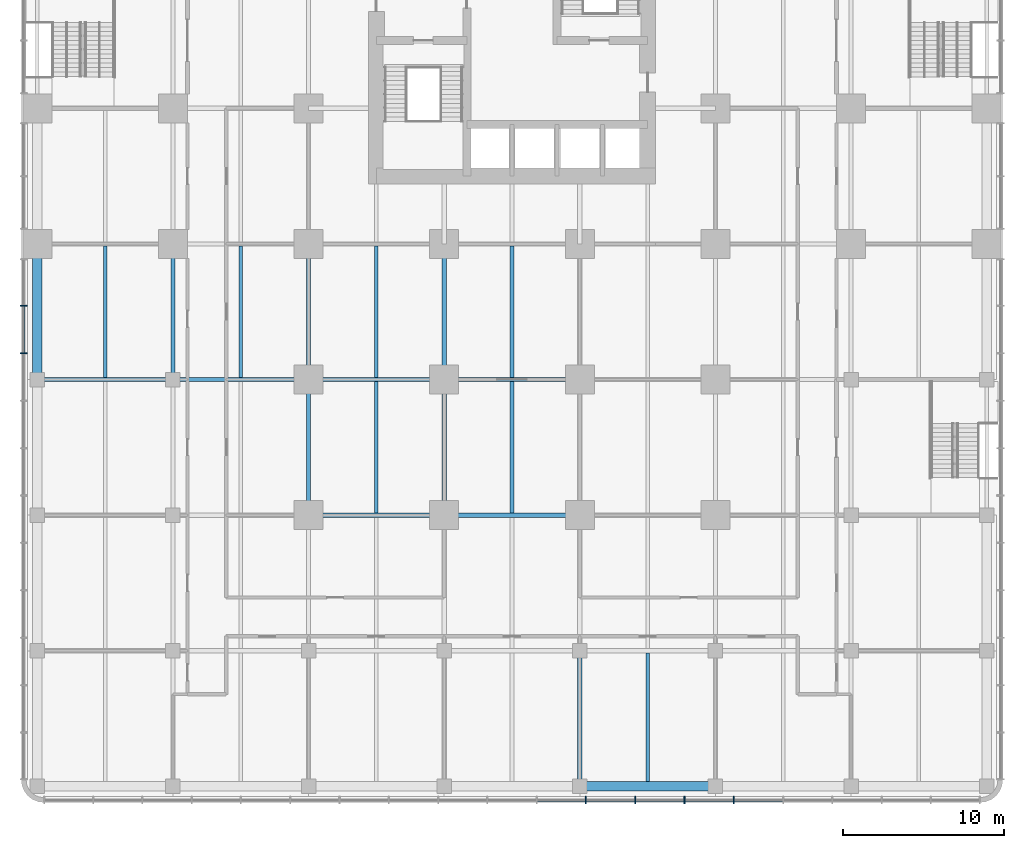
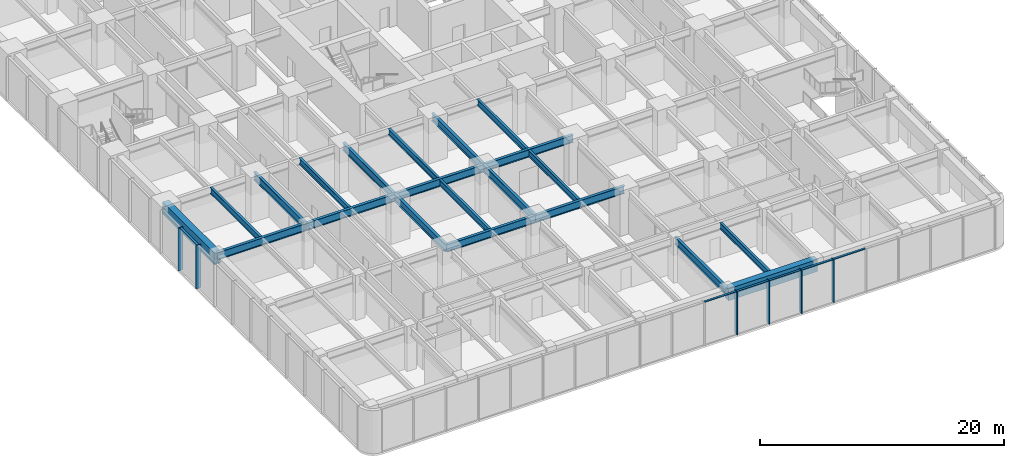
# One storey, part 3 of 19: 21 beams, 12 members, 2 elements without a shape of their own.
"""IFC4 building model written with IfcOpenShell, lengths in metres."""

from ifc_helpers import new_model, si_unit, direction, frame, origin, origin_2d, place, context, subcontext, project, spatial, rectangle, i_section, extrude, material, material_profile, profile_set, type_object, element, aggregate, save


model = new_model("IFC4")

# Units and contexts
model_context = context("Model", 3, precision=1e-05, world=origin(), true_north=direction((0.0, 1.0)))
body_context = subcontext(model_context, "Body", "Model", "MODEL_VIEW")
ifc_project = project(units=[si_unit("LENGTHUNIT", "METRE"), si_unit("AREAUNIT", "SQUARE_METRE"), si_unit("VOLUMEUNIT", "CUBIC_METRE"), si_unit("PLANEANGLEUNIT", "RADIAN"), si_unit("MASSUNIT", "GRAM", prefix="KILO")], contexts=[model_context])

# Site, building, storey
site_placement = place(None, origin())
site = spatial("IfcSite", under=ifc_project, at=site_placement, CompositionType="ELEMENT")
building_placement = place(site_placement, origin())
building = spatial("IfcBuilding", under=site, at=building_placement, Name="Torre Alcanfor", CompositionType="ELEMENT")
storey_placement = place(building_placement, frame((0.0, 0.0, 6.0)))
storey = spatial("IfcBuildingStorey", under=building, at=storey_placement, Name="L01", CompositionType="ELEMENT", Elevation=6.0)

# Curtain wall, members
ifc_material_1 = material(Name="Aluminium and glass", Category="aluminium")
curtain_wall_type = type_object("IfcCurtainWallType", Name="CW-B unitised classroom glazing with vertical FIN", PredefinedType="NOTDEFINED", material=ifc_material_1)
curtain_wall_1_placement = place(storey_placement, origin())
curtain_wall_1 = element("IfcCurtainWall", 1, at=curtain_wall_1_placement, inside=storey, type_object=curtain_wall_type, Name="Curtain wall CW-B L01 3", PredefinedType="NOTDEFINED")
ifc_material_2 = material(Name="Bronze anodised aluminium", Category="aluminium")
ifc_material_profile_1 = material_profile(ifc_material_2, rectangle(XDim=0.449951171875, YDim=0.06494140625, at=origin_2d()), Name="CW-B mullion 65x450")
ifc_profile_set_1 = profile_set([ifc_material_profile_1], Name="Bronze anodised aluminium")
member_type_1 = type_object("IfcMemberType", Name="CW-B mullion with vertical FIN 65x450", PredefinedType="MULLION", material=ifc_profile_set_1)
member_1_placement = place(storey_placement, frame((-0.85009765625, 12.958984375, 0.0), z_axis=(0.0, 0.0, 1.0), x_axis=(1.0, 0.0, 0.0)))
member_1 = element("IfcMember", 2, at=member_1_placement, type_object=member_type_1, Name="CW-B mullion 5.2", PredefinedType="MULLION", context=body_context, shape_type="SweptSolid", body=[
    extrude(rectangle(XDim=0.449951171875, YDim=0.06494140625, at=origin_2d()), origin(), (0.0, 0.0, 1.0), 4.300048828125),
])
member_2_placement = place(storey_placement, frame((-0.85009765625, 10.023193359375, 0.0), z_axis=(0.0, 0.0, 1.0), x_axis=(1.0, 0.0, 0.0)))
member_2 = element("IfcMember", 3, at=member_2_placement, type_object=member_type_1, Name="CW-B mullion 5.3", PredefinedType="MULLION", context=body_context, shape_type="SweptSolid", body=[
    extrude(rectangle(XDim=0.449951171875, YDim=0.06494140625, at=origin_2d()), origin(), (0.0, 0.0, 1.0), 4.300048828125),
])

curtain_wall_2_placement = place(storey_placement, origin())
curtain_wall_2 = element("IfcCurtainWall", 4, at=curtain_wall_2_placement, inside=storey, type_object=curtain_wall_type, Name="Curtain wall CW-B L01 4", PredefinedType="NOTDEFINED")
member_3_placement = place(storey_placement, frame((33.97900390625, -17.64990234375, 0.0), z_axis=(0.0, 0.0, 1.0), x_axis=(0.0, 1.0, 0.0)))
member_3 = element("IfcMember", 5, at=member_3_placement, type_object=member_type_1, Name="CW-B mullion 12", PredefinedType="MULLION", context=body_context, shape_type="SweptSolid", body=[
    extrude(rectangle(XDim=0.449951171875, YDim=0.06494140625, at=origin_2d()), origin(), (0.0, 0.0, 1.0), 4.300048828125),
])
member_4_placement = place(storey_placement, frame((37.031494140625, -17.64990234375, 0.0), z_axis=(0.0, 0.0, 1.0), x_axis=(0.0, 1.0, 0.0)))
member_4 = element("IfcMember", 6, at=member_4_placement, type_object=member_type_1, Name="CW-B mullion 13", PredefinedType="MULLION", context=body_context, shape_type="SweptSolid", body=[
    extrude(rectangle(XDim=0.449951171875, YDim=0.06494140625, at=origin_2d()), origin(), (0.0, 0.0, 1.0), 4.300048828125),
])
member_5_placement = place(storey_placement, frame((40.084228515625, -17.64990234375, 0.0), z_axis=(0.0, 0.0, 1.0), x_axis=(0.0, 1.0, 0.0)))
member_5 = element("IfcMember", 7, at=member_5_placement, type_object=member_type_1, Name="CW-B mullion 14", PredefinedType="MULLION", context=body_context, shape_type="SweptSolid", body=[
    extrude(rectangle(XDim=0.449951171875, YDim=0.06494140625, at=origin_2d()), origin(), (0.0, 0.0, 1.0), 4.300048828125),
])
member_6_placement = place(storey_placement, frame((43.136962890625, -17.64990234375, 0.0), z_axis=(0.0, 0.0, 1.0), x_axis=(0.0, 1.0, 0.0)))
member_6 = element("IfcMember", 8, at=member_6_placement, type_object=member_type_1, Name="CW-B mullion 15", PredefinedType="MULLION", context=body_context, shape_type="SweptSolid", body=[
    extrude(rectangle(XDim=0.449951171875, YDim=0.06494140625, at=origin_2d()), origin(), (0.0, 0.0, 1.0), 4.300048828125),
])

# Member
ifc_material_3 = material(Name="Extruded aluminium", Category="aluminium")
ifc_material_profile_2 = material_profile(ifc_material_3, rectangle(XDim=0.199951171875, YDim=0.06494140625, at=origin_2d()), Name="CW-B transom 200x65")
ifc_profile_set_2 = profile_set([ifc_material_profile_2], Name="Extruded aluminium")
member_type_2 = type_object("IfcMemberType", Name="CW-B transom 65x200", PredefinedType="USERDEFINED", material=ifc_profile_set_2)
member_7_placement = place(storey_placement, frame((-0.85009765625, 12.926513671875, 4.267578125), z_axis=(0.0, -1.0, 0.0), x_axis=(1.0, 0.0, 0.0)))
member_7 = element("IfcMember", 9, at=member_7_placement, type_object=member_type_2, Name="CW-B transom 5.2.2", ObjectType="TRANSOM", PredefinedType="USERDEFINED", context=body_context, shape_type="SweptSolid", body=[
    extrude(rectangle(XDim=0.199951171875, YDim=0.06494140625, at=origin_2d()), origin(), (0.0, 0.0, 1.0), 2.870849609375),
])

aggregate(curtain_wall_1, [member_1, member_2, member_7])

member_8_placement = place(storey_placement, frame((30.958740234375, -17.64990234375, 4.267578125), z_axis=(1.0, 0.0, 0.0), x_axis=(0.0, 1.0, 0.0)))
member_8 = element("IfcMember", 10, at=member_8_placement, type_object=member_type_2, Name="CW-B transom 11.2", ObjectType="TRANSOM", PredefinedType="USERDEFINED", context=body_context, shape_type="SweptSolid", body=[
    extrude(rectangle(XDim=0.199951171875, YDim=0.06494140625, at=origin_2d()), origin(), (0.0, 0.0, 1.0), 2.98779296875),
])

member_9_placement = place(storey_placement, frame((34.011474609375, -17.64990234375, 4.267578125), z_axis=(1.0, 0.0, 0.0), x_axis=(0.0, 1.0, 0.0)))
member_9 = element("IfcMember", 11, at=member_9_placement, type_object=member_type_2, Name="CW-B transom 12.2", ObjectType="TRANSOM", PredefinedType="USERDEFINED", context=body_context, shape_type="SweptSolid", body=[
    extrude(rectangle(XDim=0.199951171875, YDim=0.06494140625, at=origin_2d()), origin(), (0.0, 0.0, 1.0), 2.987548828125),
])

member_10_placement = place(storey_placement, frame((37.06396484375, -17.64990234375, 4.267578125), z_axis=(1.0, 0.0, 0.0), x_axis=(0.0, 1.0, 0.0)))
member_10 = element("IfcMember", 12, at=member_10_placement, type_object=member_type_2, Name="CW-B transom 13.2", ObjectType="TRANSOM", PredefinedType="USERDEFINED", context=body_context, shape_type="SweptSolid", body=[
    extrude(rectangle(XDim=0.199951171875, YDim=0.06494140625, at=origin_2d()), origin(), (0.0, 0.0, 1.0), 2.98779296875),
])

member_11_placement = place(storey_placement, frame((40.11669921875, -17.64990234375, 4.267578125), z_axis=(1.0, 0.0, 0.0), x_axis=(0.0, 1.0, 0.0)))
member_11 = element("IfcMember", 13, at=member_11_placement, type_object=member_type_2, Name="CW-B transom 14.2", ObjectType="TRANSOM", PredefinedType="USERDEFINED", context=body_context, shape_type="SweptSolid", body=[
    extrude(rectangle(XDim=0.199951171875, YDim=0.06494140625, at=origin_2d()), origin(), (0.0, 0.0, 1.0), 2.987548828125),
])

member_12_placement = place(storey_placement, frame((43.16943359375, -17.64990234375, 4.267578125), z_axis=(1.0, 0.0, 0.0), x_axis=(0.0, 1.0, 0.0)))
member_12 = element("IfcMember", 14, at=member_12_placement, type_object=member_type_2, Name="CW-B transom 15.2", ObjectType="TRANSOM", PredefinedType="USERDEFINED", context=body_context, shape_type="SweptSolid", body=[
    extrude(rectangle(XDim=0.199951171875, YDim=0.06494140625, at=origin_2d()), origin(), (0.0, 0.0, 1.0), 2.987548828125),
])

aggregate(curtain_wall_2, [member_3, member_4, member_5, member_6, member_8, member_9, member_10, member_11, member_12])

# Beams
ifc_material_4 = material(Name="Steel ASTM A992 Grade 50", Category="steel")
ifc_material_profile_3 = material_profile(ifc_material_4, i_section(OverallWidth=0.2666015625, OverallDepth=0.7568359375, WebThickness=0.013916015625, FlangeThickness=0.019287109375, at=origin_2d()), Name="W30x108")
ifc_profile_set_3 = profile_set([ifc_material_profile_3], Name="Steel ASTM A992 Grade 50")
beam_type_1 = type_object("IfcBeamType", Name="Girder W30x108", PredefinedType="BEAM", material=ifc_profile_set_3)
beam_1_placement = place(storey_placement, frame((16.800048828125, 0.0, 3.921630859375), z_axis=(1.0, 0.0, 0.0), x_axis=(0.0, 1.0, 0.0)))
element("IfcBeam", 15, at=beam_1_placement, inside=storey, type_object=beam_type_1, Name="Beam 3C-4C under L02", PredefinedType="BEAM", context=body_context, shape_type="SweptSolid", body=[
    extrude(i_section(OverallWidth=0.2666015625, OverallDepth=0.7568359375, WebThickness=0.013916015625, FlangeThickness=0.019287109375, at=origin_2d()), origin(), (0.0, 0.0, 1.0), 8.39990234375),
])
beam_2_placement = place(storey_placement, frame((25.199951171875, 0.0, 3.921630859375), z_axis=(1.0, 0.0, 0.0), x_axis=(0.0, 1.0, 0.0)))
element("IfcBeam", 16, at=beam_2_placement, inside=storey, type_object=beam_type_1, Name="Beam 4C-5C under L02", PredefinedType="BEAM", context=body_context, shape_type="SweptSolid", body=[
    extrude(i_section(OverallWidth=0.2666015625, OverallDepth=0.7568359375, WebThickness=0.013916015625, FlangeThickness=0.019287109375, at=origin_2d()), origin(), (0.0, 0.0, 1.0), 8.400146484375),
])
beam_3_placement = place(storey_placement, frame((0.0, 8.39990234375, 3.921630859375), z_axis=(1.0, 0.0, 0.0), x_axis=(0.0, 1.0, 0.0)))
element("IfcBeam", 17, at=beam_3_placement, inside=storey, type_object=beam_type_1, Name="Beam 1D-2D under L02", PredefinedType="BEAM", context=body_context, shape_type="SweptSolid", body=[
    extrude(i_section(OverallWidth=0.2666015625, OverallDepth=0.7568359375, WebThickness=0.013916015625, FlangeThickness=0.019287109375, at=origin_2d()), origin(), (0.0, 0.0, 1.0), 8.39990234375),
])
beam_4_placement = place(storey_placement, frame((8.39990234375, 8.39990234375, 3.921630859375), z_axis=(1.0, 0.0, 0.0), x_axis=(0.0, 1.0, 0.0)))
element("IfcBeam", 18, at=beam_4_placement, inside=storey, type_object=beam_type_1, Name="Beam 2D-3D under L02", PredefinedType="BEAM", context=body_context, shape_type="SweptSolid", body=[
    extrude(i_section(OverallWidth=0.2666015625, OverallDepth=0.7568359375, WebThickness=0.013916015625, FlangeThickness=0.019287109375, at=origin_2d()), origin(), (0.0, 0.0, 1.0), 8.400146484375),
])
beam_5_placement = place(storey_placement, frame((16.800048828125, 8.39990234375, 3.921630859375), z_axis=(1.0, 0.0, 0.0), x_axis=(0.0, 1.0, 0.0)))
element("IfcBeam", 19, at=beam_5_placement, inside=storey, type_object=beam_type_1, Name="Beam 3D-4D under L02", PredefinedType="BEAM", context=body_context, shape_type="SweptSolid", body=[
    extrude(i_section(OverallWidth=0.2666015625, OverallDepth=0.7568359375, WebThickness=0.013916015625, FlangeThickness=0.019287109375, at=origin_2d()), origin(), (0.0, 0.0, 1.0), 8.39990234375),
])
for number, where, z_axis, x_axis, name in (
    (20, (25.199951171875, 8.39990234375, 3.921630859375), (1.0, 0.0, 0.0), (0.0, 1.0, 0.0), "Beam 4D-5D under L02"),
    (21, (8.39990234375, 8.39990234375, 3.921630859375), (0.0, 1.0, 0.0), (-1.0, 0.0, 0.0), "Beam 2D-2E under L02"),
):
    element("IfcBeam", number, at=place(storey_placement, frame(where, z_axis=z_axis, x_axis=x_axis)), inside=storey, type_object=beam_type_1, Name=name, PredefinedType="BEAM", context=body_context, shape_type="SweptSolid", body=[
        extrude(i_section(OverallWidth=0.2666015625, OverallDepth=0.7568359375, WebThickness=0.013916015625, FlangeThickness=0.019287109375, at=origin_2d()), origin(), (0.0, 0.0, 1.0), 8.400146484375),
    ])
beam_6_placement = place(storey_placement, frame((16.800048828125, 0.0, 3.921630859375), z_axis=(0.0, 1.0, 0.0), x_axis=(-1.0, 0.0, 0.0)))
element("IfcBeam", 22, at=beam_6_placement, inside=storey, type_object=beam_type_1, Name="Beam 3C-3D under L02", PredefinedType="BEAM", context=body_context, shape_type="SweptSolid", body=[
    extrude(i_section(OverallWidth=0.2666015625, OverallDepth=0.7568359375, WebThickness=0.013916015625, FlangeThickness=0.019287109375, at=origin_2d()), origin(), (0.0, 0.0, 1.0), 8.39990234375),
])
beam_7_placement = place(storey_placement, frame((16.800048828125, 8.39990234375, 3.921630859375), z_axis=(0.0, 1.0, 0.0), x_axis=(-1.0, 0.0, 0.0)))
element("IfcBeam", 23, at=beam_7_placement, inside=storey, type_object=beam_type_1, Name="Beam 3D-3E under L02", PredefinedType="BEAM", context=body_context, shape_type="SweptSolid", body=[
    extrude(i_section(OverallWidth=0.2666015625, OverallDepth=0.7568359375, WebThickness=0.013916015625, FlangeThickness=0.019287109375, at=origin_2d()), origin(), (0.0, 0.0, 1.0), 8.400146484375),
])
beam_8_placement = place(storey_placement, frame((25.199951171875, 0.0, 3.921630859375), z_axis=(0.0, 1.0, 0.0), x_axis=(-1.0, 0.0, 0.0)))
element("IfcBeam", 24, at=beam_8_placement, inside=storey, type_object=beam_type_1, Name="Beam 4C-4D under L02", PredefinedType="BEAM", context=body_context, shape_type="SweptSolid", body=[
    extrude(i_section(OverallWidth=0.2666015625, OverallDepth=0.7568359375, WebThickness=0.013916015625, FlangeThickness=0.019287109375, at=origin_2d()), origin(), (0.0, 0.0, 1.0), 8.39990234375),
])
for number, where, z_axis, x_axis, name in (
    (25, (25.199951171875, 8.39990234375, 3.921630859375), (0.0, 1.0, 0.0), (-1.0, 0.0, 0.0), "Beam 4D-4E under L02"),
    (26, (33.60009765625, -16.800048828125, 3.921630859375), (0.0, 1.0, 0.0), (-1.0, 0.0, 0.0), "Beam 5A-5B under L02"),
):
    element("IfcBeam", number, at=place(storey_placement, frame(where, z_axis=z_axis, x_axis=x_axis)), inside=storey, type_object=beam_type_1, Name=name, PredefinedType="BEAM", context=body_context, shape_type="SweptSolid", body=[
        extrude(i_section(OverallWidth=0.2666015625, OverallDepth=0.7568359375, WebThickness=0.013916015625, FlangeThickness=0.019287109375, at=origin_2d()), origin(), (0.0, 0.0, 1.0), 8.400146484375),
    ])
ifc_material_5 = material(Name="Concrete f'c 70 MPa", Category="concrete")
ifc_material_profile_4 = material_profile(ifc_material_5, rectangle(XDim=0.60009765625, YDim=1.199951171875, at=origin_2d()), Name="600x1200")
ifc_profile_set_4 = profile_set([ifc_material_profile_4], Name="Concrete f'c 70 MPa")
beam_type_2 = type_object("IfcBeamType", Name="RC perimeter beam 600x1200", PredefinedType="BEAM", material=ifc_profile_set_4)
beam_9_placement = place(storey_placement, frame((33.60009765625, -16.800048828125, 3.699951171875), z_axis=(1.0, 0.0, 0.0), x_axis=(0.0, 1.0, 0.0)))
element("IfcBeam", 27, at=beam_9_placement, inside=storey, type_object=beam_type_2, Name="Beam 5A-6A under L02", PredefinedType="BEAM", context=body_context, shape_type="SweptSolid", body=[
    extrude(rectangle(XDim=0.60009765625, YDim=1.199951171875, at=origin_2d()), origin(), (0.0, 0.0, 1.0), 8.39990234375),
])
beam_10_placement = place(storey_placement, frame((0.0, 8.39990234375, 3.699951171875), z_axis=(0.0, 1.0, 0.0), x_axis=(-1.0, 0.0, 0.0)))
element("IfcBeam", 28, at=beam_10_placement, inside=storey, type_object=beam_type_2, Name="Beam 1D-1E under L02", PredefinedType="BEAM", context=body_context, shape_type="SweptSolid", body=[
    extrude(rectangle(XDim=0.60009765625, YDim=1.199951171875, at=origin_2d()), origin(), (0.0, 0.0, 1.0), 8.400146484375),
])
ifc_material_6 = material(Name="Steel ASTM A992 Grade 50", Category="steel")
ifc_material_profile_5 = material_profile(ifc_material_6, i_section(OverallWidth=0.22900390625, OverallDepth=0.612060546875, WebThickness=0.011962890625, FlangeThickness=0.01953125, at=origin_2d()), Name="W24x84")
ifc_profile_set_5 = profile_set([ifc_material_profile_5], Name="Steel ASTM A992 Grade 50")
beam_type_3 = type_object("IfcBeamType", Name="Secondary beam W24x84", PredefinedType="BEAM", material=ifc_profile_set_5)
for number, where, z_axis, x_axis, name in (
    (29, (4.199951171875, 8.532958984375, 3.993896484375), (0.0, 1.0, 0.0), (-1.0, 0.0, 0.0), "Beam 4_2D-4_2E under L02"),
    (30, (12.60009765625, 8.532958984375, 3.993896484375), (0.0, 1.0, 0.0), (-1.0, 0.0, 0.0), "Beam 12_6D-12_6E under L02"),
    (31, (21.0, 0.133056640625, 3.993896484375), (0.0, 1.0, 0.0), (-1.0, 0.0, 0.0), "Beam 21C-21D under L02"),
    (32, (21.0, 8.532958984375, 3.993896484375), (0.0, 1.0, 0.0), (-1.0, 0.0, 0.0), "Beam 21D-21E under L02"),
    (33, (29.39990234375, 0.133056640625, 3.993896484375), (0.0, 1.0, 0.0), (-1.0, 0.0, 0.0), "Beam 29_4C-29_4D under L02"),
    (34, (29.39990234375, 8.532958984375, 3.993896484375), (0.0, 1.0, 0.0), (-1.0, 0.0, 0.0), "Beam 29_4D-29_4E under L02"),
):
    element("IfcBeam", number, at=place(storey_placement, frame(where, z_axis=z_axis, x_axis=x_axis)), inside=storey, type_object=beam_type_3, Name=name, PredefinedType="BEAM", context=body_context, shape_type="SweptSolid", body=[
        extrude(i_section(OverallWidth=0.22900390625, OverallDepth=0.612060546875, WebThickness=0.011962890625, FlangeThickness=0.01953125, at=origin_2d()), origin(), (0.0, 0.0, 1.0), 8.134033203125),
    ])
beam_11_placement = place(storey_placement, frame((37.800048828125, -16.5, 3.993896484375), z_axis=(0.0, 1.0, 0.0), x_axis=(-1.0, 0.0, 0.0)))
element("IfcBeam", 35, at=beam_11_placement, inside=storey, type_object=beam_type_3, Name="Beam 37_8A-37_8B under L02", PredefinedType="BEAM", context=body_context, shape_type="SweptSolid", body=[
    extrude(i_section(OverallWidth=0.22900390625, OverallDepth=0.612060546875, WebThickness=0.011962890625, FlangeThickness=0.01953125, at=origin_2d()), origin(), (0.0, 0.0, 1.0), 7.967041015625),
])

save(model, "model.ifc")
